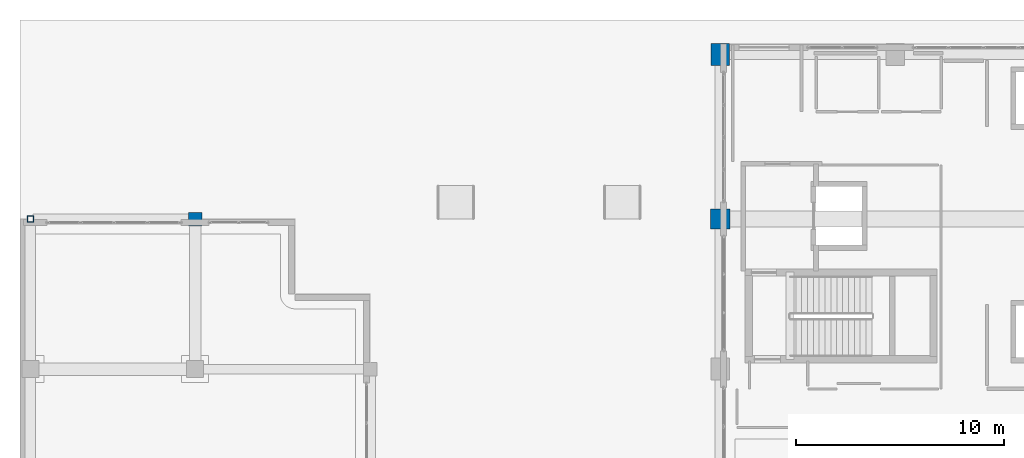
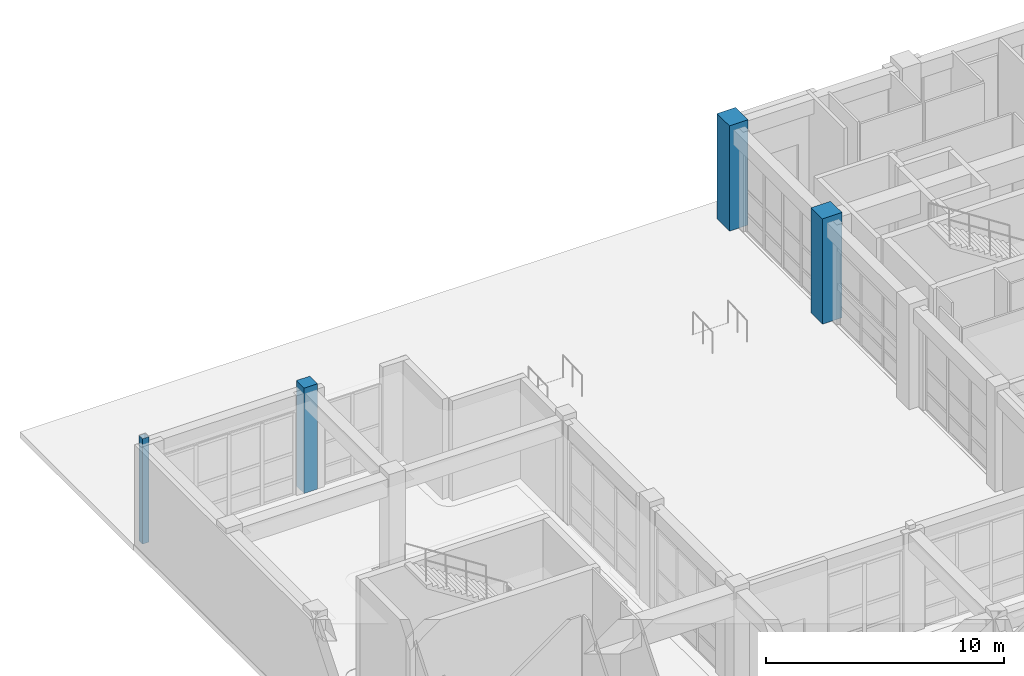
# One storey, part 8 of 148: 4 columns.
"""IFC4 building model written with IfcOpenShell, lengths in metres."""

from ifc_helpers import new_model, si_unit, direction, frame, origin, origin_2d, place, context, subcontext, project, spatial, rectangle, hollow_rectangle, extrude, material, material_profile, profile_set, type_object, element, save


model = new_model("IFC4")

# Units and contexts
model_context = context("Model", 3, precision=1e-05, world=origin(), true_north=direction((0.0, 1.0)))
body_context = subcontext(model_context, "Body", "Model", "MODEL_VIEW")
ifc_project = project(units=[si_unit("LENGTHUNIT", "METRE"), si_unit("AREAUNIT", "SQUARE_METRE"), si_unit("VOLUMEUNIT", "CUBIC_METRE"), si_unit("PLANEANGLEUNIT", "RADIAN"), si_unit("MASSUNIT", "GRAM", prefix="KILO")], contexts=[model_context])

# Site, building, storey
site_placement = place(None, origin())
site = spatial("IfcSite", under=ifc_project, at=site_placement, CompositionType="ELEMENT")
building_placement = place(site_placement, origin())
building = spatial("IfcBuilding", under=site, at=building_placement, Name="Quendrovan Civic Courthouse", CompositionType="ELEMENT")
storey_placement = place(building_placement, origin())
storey = spatial("IfcBuildingStorey", under=building, at=storey_placement, Name="L01", CompositionType="ELEMENT", Elevation=0.0)

# Columns
ifc_material_1 = material(Name="Concrete C45/55", Category="concrete")
ifc_material_profile_1 = material_profile(ifc_material_1, rectangle(XDim=0.89990234375, YDim=1.050048828125, at=origin_2d()), Name="RC-COL-900x1050")
ifc_profile_set_1 = profile_set([ifc_material_profile_1], Name="Concrete C45/55")
column_type_1 = type_object("IfcColumnType", Name="COL-RC-900x1050", PredefinedType="COLUMN", material=ifc_profile_set_1)
column_1_placement = place(storey_placement, frame((33.60009765625, 109.89990234375, 0.0), z_axis=(0.0, 0.0, 1.0), x_axis=(1.0, 0.0, 0.0)))
element("IfcColumn", 1, at=column_1_placement, inside=storey, type_object=column_type_1, Name="L01 Column 5-Q", PredefinedType="COLUMN", context=body_context, shape_type="SweptSolid", body=[
    extrude(rectangle(XDim=0.89990234375, YDim=1.050048828125, at=origin_2d()), origin(), (0.0, 0.0, 1.0), 5.39990234375),
])
ifc_material_profile_2 = material_profile(ifc_material_1, rectangle(XDim=0.64990234375, YDim=0.64990234375, at=origin_2d()), Name="RC-COL-650x650")
ifc_profile_set_2 = profile_set([ifc_material_profile_2], Name="Concrete C45/55")
column_type_2 = type_object("IfcColumnType", Name="COL-RC650", PredefinedType="COLUMN", material=ifc_profile_set_2)
column_2_placement = place(storey_placement, frame((8.39990234375, 102.0, 0.0), z_axis=(0.0, 0.0, 1.0), x_axis=(1.0, 0.0, 0.0)))
element("IfcColumn", 2, at=column_2_placement, inside=storey, type_object=column_type_2, Name="L01 Column 2-P", PredefinedType="COLUMN", context=body_context, shape_type="SweptSolid", body=[
    extrude(rectangle(XDim=0.64990234375, YDim=0.64990234375, at=origin_2d()), origin(), (0.0, 0.0, 1.0), 5.39990234375),
])
ifc_material_profile_3 = material_profile(ifc_material_1, rectangle(XDim=0.949951171875, YDim=0.949951171875, at=origin_2d()), Name="RC-COL-950x950")
ifc_profile_set_3 = profile_set([ifc_material_profile_3], Name="Concrete C45/55")
column_type_3 = type_object("IfcColumnType", Name="COL-RC950", PredefinedType="COLUMN", material=ifc_profile_set_3)
column_3_placement = place(storey_placement, frame((33.60009765625, 102.0, 0.0), z_axis=(0.0, 0.0, 1.0), x_axis=(1.0, 0.0, 0.0)))
element("IfcColumn", 3, at=column_3_placement, inside=storey, type_object=column_type_3, Name="L01 Column 5-P", PredefinedType="COLUMN", context=body_context, shape_type="SweptSolid", body=[
    extrude(rectangle(XDim=0.949951171875, YDim=0.949951171875, at=origin_2d()), origin(), (0.0, 0.0, 1.0), 5.39990234375),
])
ifc_material_2 = material(Name="Steel ASTM A500 Grade C", Category="steel")
ifc_material_profile_4 = material_profile(ifc_material_2, hollow_rectangle(XDim=0.300048828125, YDim=0.300048828125, WallThickness=0.011962890625, at=origin_2d()), Name="HSS300x300x12")
ifc_profile_set_4 = profile_set([ifc_material_profile_4], Name="Steel ASTM A500 Grade C")
column_type_4 = type_object("IfcColumnType", Name="COL-STL-HSS300S", PredefinedType="COLUMN", material=ifc_profile_set_4)
column_4_placement = place(storey_placement, frame((0.5, 102.0, 0.0), z_axis=(0.0, 0.0, 1.0), x_axis=(1.0, 0.0, 0.0)))
element("IfcColumn", 4, at=column_4_placement, inside=storey, type_object=column_type_4, Name="L01 Column 1-P", PredefinedType="COLUMN", context=body_context, shape_type="SweptSolid", body=[
    extrude(hollow_rectangle(XDim=0.300048828125, YDim=0.300048828125, WallThickness=0.011962890625, at=origin_2d()), origin(), (0.0, 0.0, 1.0), 5.39990234375),
])

save(model, "model.ifc")
